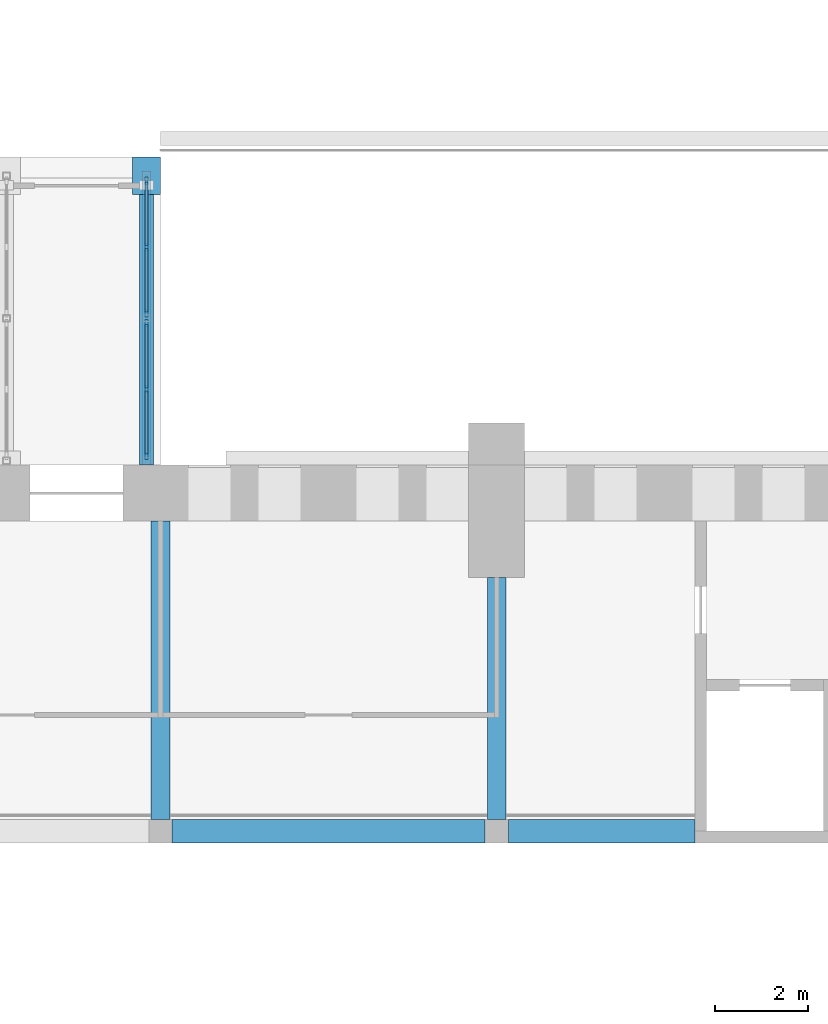
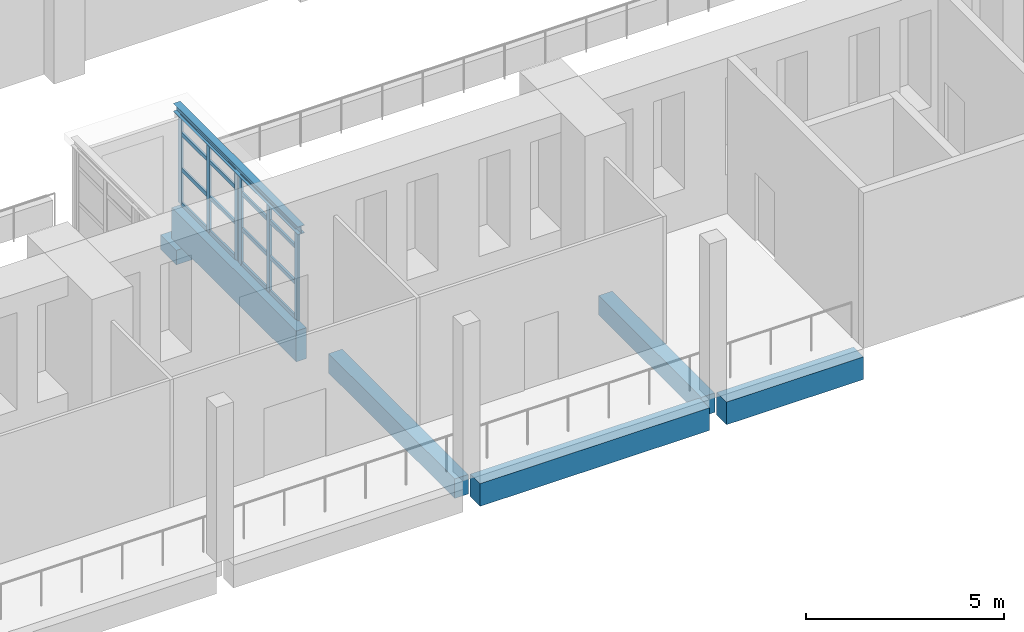
# One storey, part 52 of 131: 22 members, 7 beams, 2 elements without a shape of their own.
"""IFC4 building model written with IfcOpenShell, lengths in metres."""

from ifc_helpers import new_model, si_unit, direction, frame, origin, origin_2d, place, context, subcontext, project, spatial, rectangle, i_section, extrude, material, layer, layer_set, material_profile, profile_set, type_object, element, aggregate, save


model = new_model("IFC4")

# Units and contexts
model_context = context("Model", 3, precision=1e-05, world=origin(), true_north=direction((0.0, 1.0)))
body_context = subcontext(model_context, "Body", "Model", "MODEL_VIEW")
ifc_project = project(units=[si_unit("LENGTHUNIT", "METRE"), si_unit("AREAUNIT", "SQUARE_METRE"), si_unit("VOLUMEUNIT", "CUBIC_METRE"), si_unit("PLANEANGLEUNIT", "RADIAN"), si_unit("MASSUNIT", "GRAM", prefix="KILO")], contexts=[model_context])

# Site, building, storey
site_placement = place(None, origin())
site = spatial("IfcSite", under=ifc_project, at=site_placement, CompositionType="ELEMENT")
building_placement = place(site_placement, origin())
building = spatial("IfcBuilding", under=site, at=building_placement, Name="Alderwick Market Hall", CompositionType="ELEMENT")
storey_placement = place(building_placement, frame((0.0, 0.0, 4.800048828125)))
storey = spatial("IfcBuildingStorey", under=building, at=storey_placement, Name="L00", CompositionType="ELEMENT", Elevation=4.800048828125)

# Beams
ifc_material_1 = material(Name="Concrete 5000 psi (f'c 35 MPa)", Category="concrete")
ifc_material_profile_1 = material_profile(ifc_material_1, rectangle(XDim=0.5, YDim=0.699951171875, at=origin_2d()), Name="RC 500x700")
ifc_profile_set_1 = profile_set([ifc_material_profile_1], Name="Concrete 5000 psi (f'c 35 MPa)")
beam_type_1 = type_object("IfcBeamType", Name="H Edge beam 500x700", PredefinedType="BEAM", material=ifc_profile_set_1)
beam_1_placement = place(storey_placement, frame((129.85009765625, 100.760009765625, -0.60009765625), z_axis=(1.0, 0.0, 0.0), x_axis=(0.0, 1.0, 0.0)))
element("IfcBeam", 1, at=beam_1_placement, inside=storey, type_object=beam_type_1, Name="Gallery edge beam N", PredefinedType="BEAM", context=body_context, shape_type="SweptSolid", body=[
    extrude(rectangle(XDim=0.5, YDim=0.699951171875, at=origin_2d()), origin(), (0.0, 0.0, 1.0), 6.699951171875),
])
beam_2_placement = place(storey_placement, frame((137.050048828125, 100.760009765625, -0.60009765625), z_axis=(1.0, 0.0, 0.0), x_axis=(0.0, 1.0, 0.0)))
element("IfcBeam", 2, at=beam_2_placement, inside=storey, type_object=beam_type_1, Name="Gallery edge beam N", PredefinedType="BEAM", context=body_context, shape_type="SweptSolid", body=[
    extrude(rectangle(XDim=0.5, YDim=0.699951171875, at=origin_2d()), origin(), (0.0, 0.0, 1.0), 4.0),
])
ifc_material_profile_2 = material_profile(ifc_material_1, rectangle(XDim=0.39990234375, YDim=0.60009765625, at=origin_2d()), Name="RC 400x600")
ifc_profile_set_2 = profile_set([ifc_material_profile_2], Name="Concrete 5000 psi (f'c 35 MPa)")
beam_type_2 = type_object("IfcBeamType", Name="H Gallery beam 400x600", PredefinedType="BEAM", material=ifc_profile_set_2)
beam_3_placement = place(storey_placement, frame((129.60009765625, 107.39990234375, -0.550048828125), z_axis=(0.0, -1.0, 0.0), x_axis=(1.0, 0.0, 0.0)))
element("IfcBeam", 3, at=beam_3_placement, inside=storey, type_object=beam_type_2, Name="Gallery beam N", PredefinedType="BEAM", context=body_context, shape_type="SweptSolid", body=[
    extrude(rectangle(XDim=0.39990234375, YDim=0.60009765625, at=origin_2d()), origin(), (0.0, 0.0, 1.0), 6.389892578125),
])
beam_4_placement = place(storey_placement, frame((136.800048828125, 106.199951171875, -0.550048828125), z_axis=(0.0, -1.0, 0.0), x_axis=(1.0, 0.0, 0.0)))
element("IfcBeam", 4, at=beam_4_placement, inside=storey, type_object=beam_type_2, Name="Gallery beam N", PredefinedType="BEAM", context=body_context, shape_type="SweptSolid", body=[
    extrude(rectangle(XDim=0.39990234375, YDim=0.60009765625, at=origin_2d()), origin(), (0.0, 0.0, 1.0), 5.18994140625),
])

# Curtain wall, members
ifc_material_2 = material(Name="Aluminium frame", Category="aluminium")
ifc_layer = layer(ifc_material_2, 0.10009765625)
ifc_layer_set = layer_set([ifc_layer], Name="Aluminium frame")
curtain_wall_type = type_object("IfcCurtainWallType", Name="P Curtain Wall 100", PredefinedType="NOTDEFINED", material=ifc_layer_set)
curtain_wall_1_placement = place(storey_placement, origin())
curtain_wall_1 = element("IfcCurtainWall", 5, at=curtain_wall_1_placement, inside=storey, type_object=curtain_wall_type, Name="P.P2.cw.b0", PredefinedType="NOTDEFINED")
ifc_material_profile_3 = material_profile(ifc_material_2, rectangle(XDim=0.06005859375, YDim=0.159912109375, at=origin_2d()), Name="P Mullion 60x160")
ifc_profile_set_3 = profile_set([ifc_material_profile_3], Name="Aluminium frame")
member_type_1 = type_object("IfcMemberType", Name="P Mullion 60x160", PredefinedType="MULLION", material=ifc_profile_set_3)
member_1_placement = place(storey_placement, frame((129.300048828125, 108.805908203125, 0.0), z_axis=(0.0, 0.0, 1.0), x_axis=(-1.0, 0.0, 0.0)))
member_1 = element("IfcMember", 6, at=member_1_placement, type_object=member_type_1, Name="P-CW2b0 mullion 1", PredefinedType="MULLION", context=body_context, shape_type="SweptSolid", body=[
    extrude(rectangle(XDim=0.06005859375, YDim=0.159912109375, at=origin_2d()), origin(), (0.0, 0.0, 1.0), 2.7529296875),
])
member_2_placement = place(storey_placement, frame((129.300048828125, 110.22509765625, 0.0), z_axis=(0.0, 0.0, 1.0), x_axis=(-1.0, 0.0, 0.0)))
member_2 = element("IfcMember", 7, at=member_2_placement, type_object=member_type_1, Name="P-CW2b0 mullion 2", PredefinedType="MULLION", context=body_context, shape_type="SweptSolid", body=[
    extrude(rectangle(XDim=0.06005859375, YDim=0.159912109375, at=origin_2d()), origin(), (0.0, 0.0, 1.0), 2.7529296875),
])
member_3_placement = place(storey_placement, frame((129.300048828125, 111.64404296875, 0.0), z_axis=(0.0, 0.0, 1.0), x_axis=(-1.0, 0.0, 0.0)))
member_3 = element("IfcMember", 8, at=member_3_placement, type_object=member_type_1, Name="P-CW2b0 mullion 3", PredefinedType="MULLION", context=body_context, shape_type="SweptSolid", body=[
    extrude(rectangle(XDim=0.06005859375, YDim=0.159912109375, at=origin_2d()), origin(), (0.0, 0.0, 1.0), 2.7529296875),
])

curtain_wall_2_placement = place(storey_placement, origin())
curtain_wall_2 = element("IfcCurtainWall", 9, at=curtain_wall_2_placement, inside=storey, type_object=curtain_wall_type, Name="P.P2.cw.b1", PredefinedType="NOTDEFINED")
member_4_placement = place(storey_placement, frame((129.300048828125, 111.85595703125, 0.0), z_axis=(0.0, 0.0, 1.0), x_axis=(-1.0, 0.0, 0.0)))
member_4 = element("IfcMember", 10, at=member_4_placement, type_object=member_type_1, Name="P-CW2b1 mullion 1", PredefinedType="MULLION", context=body_context, shape_type="SweptSolid", body=[
    extrude(rectangle(XDim=0.06005859375, YDim=0.159912109375, at=origin_2d()), origin(), (0.0, 0.0, 1.0), 2.7529296875),
])
member_5_placement = place(storey_placement, frame((129.300048828125, 113.27490234375, 0.0), z_axis=(0.0, 0.0, 1.0), x_axis=(-1.0, 0.0, 0.0)))
member_5 = element("IfcMember", 11, at=member_5_placement, type_object=member_type_1, Name="P-CW2b1 mullion 2", PredefinedType="MULLION", context=body_context, shape_type="SweptSolid", body=[
    extrude(rectangle(XDim=0.06005859375, YDim=0.159912109375, at=origin_2d()), origin(), (0.0, 0.0, 1.0), 2.7529296875),
])
member_6_placement = place(storey_placement, frame((129.300048828125, 114.694091796875, 0.0), z_axis=(0.0, 0.0, 1.0), x_axis=(-1.0, 0.0, 0.0)))
member_6 = element("IfcMember", 12, at=member_6_placement, type_object=member_type_1, Name="P-CW2b1 mullion 3", PredefinedType="MULLION", context=body_context, shape_type="SweptSolid", body=[
    extrude(rectangle(XDim=0.06005859375, YDim=0.159912109375, at=origin_2d()), origin(), (0.0, 0.0, 1.0), 2.7529296875),
])

# Beams
ifc_material_profile_4 = material_profile(ifc_material_1, rectangle(XDim=0.60009765625, YDim=0.449951171875, at=origin_2d()), Name="P RC Bearing Corbel 600x450")
ifc_profile_set_4 = profile_set([ifc_material_profile_4], Name="Concrete 5000 psi (f'c 35 MPa)")
beam_type_3 = type_object("IfcBeamType", Name="P RC Bearing Corbel 600x450", PredefinedType="USERDEFINED", material=ifc_profile_set_4)
beam_5_placement = place(storey_placement, frame((129.300048828125, 114.39990234375, -1.39306640625), z_axis=(0.0, 1.0, 0.0), x_axis=(-1.0, 0.0, 0.0)))
element("IfcBeam", 13, at=beam_5_placement, inside=storey, type_object=beam_type_3, Name="Bearing corbel", ObjectType="CORBEL", PredefinedType="USERDEFINED", context=body_context, shape_type="SweptSolid", body=[
    extrude(rectangle(XDim=0.60009765625, YDim=0.449951171875, at=origin_2d()), origin(), (0.0, 0.0, 1.0), 0.800048828125),
])
ifc_material_profile_5 = material_profile(ifc_material_1, rectangle(XDim=0.300048828125, YDim=0.949951171875, at=origin_2d()), Name="P RC Edge Girder 300x950")
ifc_profile_set_5 = profile_set([ifc_material_profile_5], Name="Concrete 5000 psi (f'c 35 MPa)")
beam_type_4 = type_object("IfcBeamType", Name="P RC Edge Girder 300x950", PredefinedType="BEAM", material=ifc_profile_set_5)
beam_6_placement = place(storey_placement, frame((129.300048828125, 108.60009765625, -0.675048828125), z_axis=(0.0, 1.0, 0.0), x_axis=(-1.0, 0.0, 0.0)))
element("IfcBeam", 14, at=beam_6_placement, inside=storey, type_object=beam_type_4, Name="P.P2.girder.b", PredefinedType="BEAM", context=body_context, shape_type="SweptSolid", body=[
    extrude(rectangle(XDim=0.300048828125, YDim=0.949951171875, at=origin_2d()), origin(), (0.0, 0.0, 1.0), 6.2998046875),
])
ifc_material_3 = material(Name="Steel ASTM A992 Grade 50", Category="steel")
ifc_material_profile_6 = material_profile(ifc_material_3, i_section(OverallWidth=0.201904296875, OverallDepth=0.2470703125, WebThickness=0.00732421875, FlangeThickness=0.010986328125, at=origin_2d()), Name="W250x49")
ifc_profile_set_6 = profile_set([ifc_material_profile_6], Name="Steel ASTM A992 Grade 50")
beam_type_5 = type_object("IfcBeamType", Name="P Roof Beam W250x49", PredefinedType="BEAM", material=ifc_profile_set_6)
beam_7_placement = place(storey_placement, frame((129.300048828125, 108.60009765625, 2.87646484375), z_axis=(0.0, 1.0, 0.0), x_axis=(-1.0, 0.0, 0.0)))
element("IfcBeam", 15, at=beam_7_placement, inside=storey, type_object=beam_type_5, Name="P.P2.rbeam.b", PredefinedType="BEAM", context=body_context, shape_type="SweptSolid", body=[
    extrude(i_section(OverallWidth=0.201904296875, OverallDepth=0.2470703125, WebThickness=0.00732421875, FlangeThickness=0.010986328125, at=origin_2d()), origin(), (0.0, 0.0, 1.0), 6.2998046875),
])

# Member
ifc_material_profile_7 = material_profile(ifc_material_2, rectangle(XDim=0.06005859375, YDim=0.1201171875, at=origin_2d()), Name="P Transom 60x120")
ifc_profile_set_7 = profile_set([ifc_material_profile_7], Name="Aluminium frame")
member_type_2 = type_object("IfcMemberType", Name="P Transom 60x120", PredefinedType="USERDEFINED", material=ifc_profile_set_7)
member_7_placement = place(storey_placement, frame((129.300048828125, 108.8359375, 0.030029296875), z_axis=(0.0, 1.0, 0.0), x_axis=(-1.0, 0.0, 0.0)))
member_7 = element("IfcMember", 16, at=member_7_placement, type_object=member_type_2, Name="P-CW2b0 transom 1.1", ObjectType="TRANSOM", PredefinedType="USERDEFINED", context=body_context, shape_type="SweptSolid", body=[
    extrude(rectangle(XDim=0.06005859375, YDim=0.1201171875, at=origin_2d()), origin(), (0.0, 0.0, 1.0), 1.359130859375),
])

member_8_placement = place(storey_placement, frame((129.300048828125, 108.8359375, 1.099853515625), z_axis=(0.0, 1.0, 0.0), x_axis=(-1.0, 0.0, 0.0)))
member_8 = element("IfcMember", 17, at=member_8_placement, type_object=member_type_2, Name="P-CW2b0 transom 1.2", ObjectType="TRANSOM", PredefinedType="USERDEFINED", context=body_context, shape_type="SweptSolid", body=[
    extrude(rectangle(XDim=0.06005859375, YDim=0.1201171875, at=origin_2d()), origin(), (0.0, 0.0, 1.0), 1.359130859375),
])

member_9_placement = place(storey_placement, frame((129.300048828125, 108.8359375, 2.199951171875), z_axis=(0.0, 1.0, 0.0), x_axis=(-1.0, 0.0, 0.0)))
member_9 = element("IfcMember", 18, at=member_9_placement, type_object=member_type_2, Name="P-CW2b0 transom 1.3", ObjectType="TRANSOM", PredefinedType="USERDEFINED", context=body_context, shape_type="SweptSolid", body=[
    extrude(rectangle(XDim=0.06005859375, YDim=0.1201171875, at=origin_2d()), origin(), (0.0, 0.0, 1.0), 1.359130859375),
])

member_10_placement = place(storey_placement, frame((129.300048828125, 108.8359375, 2.722900390625), z_axis=(0.0, 1.0, 0.0), x_axis=(-1.0, 0.0, 0.0)))
member_10 = element("IfcMember", 19, at=member_10_placement, type_object=member_type_2, Name="P-CW2b0 transom 1.4", ObjectType="TRANSOM", PredefinedType="USERDEFINED", context=body_context, shape_type="SweptSolid", body=[
    extrude(rectangle(XDim=0.06005859375, YDim=0.1201171875, at=origin_2d()), origin(), (0.0, 0.0, 1.0), 1.359130859375),
])

member_11_placement = place(storey_placement, frame((129.300048828125, 110.2548828125, 0.030029296875), z_axis=(0.0, 1.0, 0.0), x_axis=(-1.0, 0.0, 0.0)))
member_11 = element("IfcMember", 20, at=member_11_placement, type_object=member_type_2, Name="P-CW2b0 transom 2.1", ObjectType="TRANSOM", PredefinedType="USERDEFINED", context=body_context, shape_type="SweptSolid", body=[
    extrude(rectangle(XDim=0.06005859375, YDim=0.1201171875, at=origin_2d()), origin(), (0.0, 0.0, 1.0), 1.359130859375),
])

member_12_placement = place(storey_placement, frame((129.300048828125, 110.2548828125, 1.099853515625), z_axis=(0.0, 1.0, 0.0), x_axis=(-1.0, 0.0, 0.0)))
member_12 = element("IfcMember", 21, at=member_12_placement, type_object=member_type_2, Name="P-CW2b0 transom 2.2", ObjectType="TRANSOM", PredefinedType="USERDEFINED", context=body_context, shape_type="SweptSolid", body=[
    extrude(rectangle(XDim=0.06005859375, YDim=0.1201171875, at=origin_2d()), origin(), (0.0, 0.0, 1.0), 1.359130859375),
])

member_13_placement = place(storey_placement, frame((129.300048828125, 110.2548828125, 2.199951171875), z_axis=(0.0, 1.0, 0.0), x_axis=(-1.0, 0.0, 0.0)))
member_13 = element("IfcMember", 22, at=member_13_placement, type_object=member_type_2, Name="P-CW2b0 transom 2.3", ObjectType="TRANSOM", PredefinedType="USERDEFINED", context=body_context, shape_type="SweptSolid", body=[
    extrude(rectangle(XDim=0.06005859375, YDim=0.1201171875, at=origin_2d()), origin(), (0.0, 0.0, 1.0), 1.359130859375),
])

member_14_placement = place(storey_placement, frame((129.300048828125, 110.2548828125, 2.722900390625), z_axis=(0.0, 1.0, 0.0), x_axis=(-1.0, 0.0, 0.0)))
member_14 = element("IfcMember", 23, at=member_14_placement, type_object=member_type_2, Name="P-CW2b0 transom 2.4", ObjectType="TRANSOM", PredefinedType="USERDEFINED", context=body_context, shape_type="SweptSolid", body=[
    extrude(rectangle(XDim=0.06005859375, YDim=0.1201171875, at=origin_2d()), origin(), (0.0, 0.0, 1.0), 1.359130859375),
])

aggregate(curtain_wall_1, [member_1, member_2, member_3, member_7, member_8, member_9, member_10, member_11, member_12, member_13, member_14])

member_15_placement = place(storey_placement, frame((129.300048828125, 111.885986328125, 0.030029296875), z_axis=(0.0, 1.0, 0.0), x_axis=(-1.0, 0.0, 0.0)))
member_15 = element("IfcMember", 24, at=member_15_placement, type_object=member_type_2, Name="P-CW2b1 transom 1.1", ObjectType="TRANSOM", PredefinedType="USERDEFINED", context=body_context, shape_type="SweptSolid", body=[
    extrude(rectangle(XDim=0.06005859375, YDim=0.1201171875, at=origin_2d()), origin(), (0.0, 0.0, 1.0), 1.359130859375),
])

member_16_placement = place(storey_placement, frame((129.300048828125, 111.885986328125, 1.099853515625), z_axis=(0.0, 1.0, 0.0), x_axis=(-1.0, 0.0, 0.0)))
member_16 = element("IfcMember", 25, at=member_16_placement, type_object=member_type_2, Name="P-CW2b1 transom 1.2", ObjectType="TRANSOM", PredefinedType="USERDEFINED", context=body_context, shape_type="SweptSolid", body=[
    extrude(rectangle(XDim=0.06005859375, YDim=0.1201171875, at=origin_2d()), origin(), (0.0, 0.0, 1.0), 1.359130859375),
])

member_17_placement = place(storey_placement, frame((129.300048828125, 111.885986328125, 2.199951171875), z_axis=(0.0, 1.0, 0.0), x_axis=(-1.0, 0.0, 0.0)))
member_17 = element("IfcMember", 26, at=member_17_placement, type_object=member_type_2, Name="P-CW2b1 transom 1.3", ObjectType="TRANSOM", PredefinedType="USERDEFINED", context=body_context, shape_type="SweptSolid", body=[
    extrude(rectangle(XDim=0.06005859375, YDim=0.1201171875, at=origin_2d()), origin(), (0.0, 0.0, 1.0), 1.359130859375),
])

member_18_placement = place(storey_placement, frame((129.300048828125, 111.885986328125, 2.722900390625), z_axis=(0.0, 1.0, 0.0), x_axis=(-1.0, 0.0, 0.0)))
member_18 = element("IfcMember", 27, at=member_18_placement, type_object=member_type_2, Name="P-CW2b1 transom 1.4", ObjectType="TRANSOM", PredefinedType="USERDEFINED", context=body_context, shape_type="SweptSolid", body=[
    extrude(rectangle(XDim=0.06005859375, YDim=0.1201171875, at=origin_2d()), origin(), (0.0, 0.0, 1.0), 1.359130859375),
])

member_19_placement = place(storey_placement, frame((129.300048828125, 113.304931640625, 0.030029296875), z_axis=(0.0, 1.0, 0.0), x_axis=(-1.0, 0.0, 0.0)))
member_19 = element("IfcMember", 28, at=member_19_placement, type_object=member_type_2, Name="P-CW2b1 transom 2.1", ObjectType="TRANSOM", PredefinedType="USERDEFINED", context=body_context, shape_type="SweptSolid", body=[
    extrude(rectangle(XDim=0.06005859375, YDim=0.1201171875, at=origin_2d()), origin(), (0.0, 0.0, 1.0), 1.359130859375),
])

member_20_placement = place(storey_placement, frame((129.300048828125, 113.304931640625, 1.099853515625), z_axis=(0.0, 1.0, 0.0), x_axis=(-1.0, 0.0, 0.0)))
member_20 = element("IfcMember", 29, at=member_20_placement, type_object=member_type_2, Name="P-CW2b1 transom 2.2", ObjectType="TRANSOM", PredefinedType="USERDEFINED", context=body_context, shape_type="SweptSolid", body=[
    extrude(rectangle(XDim=0.06005859375, YDim=0.1201171875, at=origin_2d()), origin(), (0.0, 0.0, 1.0), 1.359130859375),
])

member_21_placement = place(storey_placement, frame((129.300048828125, 113.304931640625, 2.199951171875), z_axis=(0.0, 1.0, 0.0), x_axis=(-1.0, 0.0, 0.0)))
member_21 = element("IfcMember", 30, at=member_21_placement, type_object=member_type_2, Name="P-CW2b1 transom 2.3", ObjectType="TRANSOM", PredefinedType="USERDEFINED", context=body_context, shape_type="SweptSolid", body=[
    extrude(rectangle(XDim=0.06005859375, YDim=0.1201171875, at=origin_2d()), origin(), (0.0, 0.0, 1.0), 1.359130859375),
])

member_22_placement = place(storey_placement, frame((129.300048828125, 113.304931640625, 2.722900390625), z_axis=(0.0, 1.0, 0.0), x_axis=(-1.0, 0.0, 0.0)))
member_22 = element("IfcMember", 31, at=member_22_placement, type_object=member_type_2, Name="P-CW2b1 transom 2.4", ObjectType="TRANSOM", PredefinedType="USERDEFINED", context=body_context, shape_type="SweptSolid", body=[
    extrude(rectangle(XDim=0.06005859375, YDim=0.1201171875, at=origin_2d()), origin(), (0.0, 0.0, 1.0), 1.359130859375),
])

aggregate(curtain_wall_2, [member_4, member_5, member_6, member_15, member_16, member_17, member_18, member_19, member_20, member_21, member_22])

save(model, "model.ifc")
